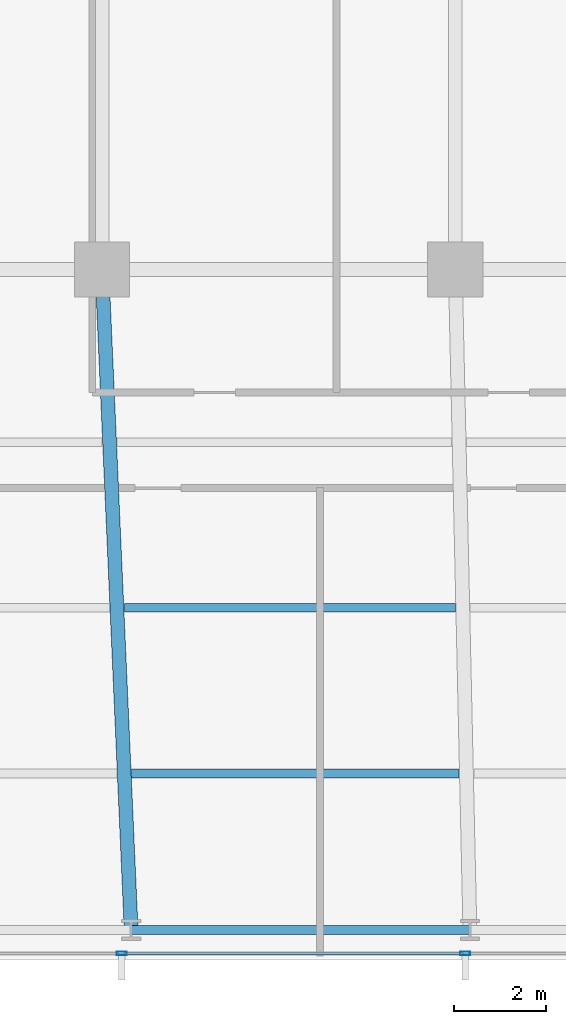
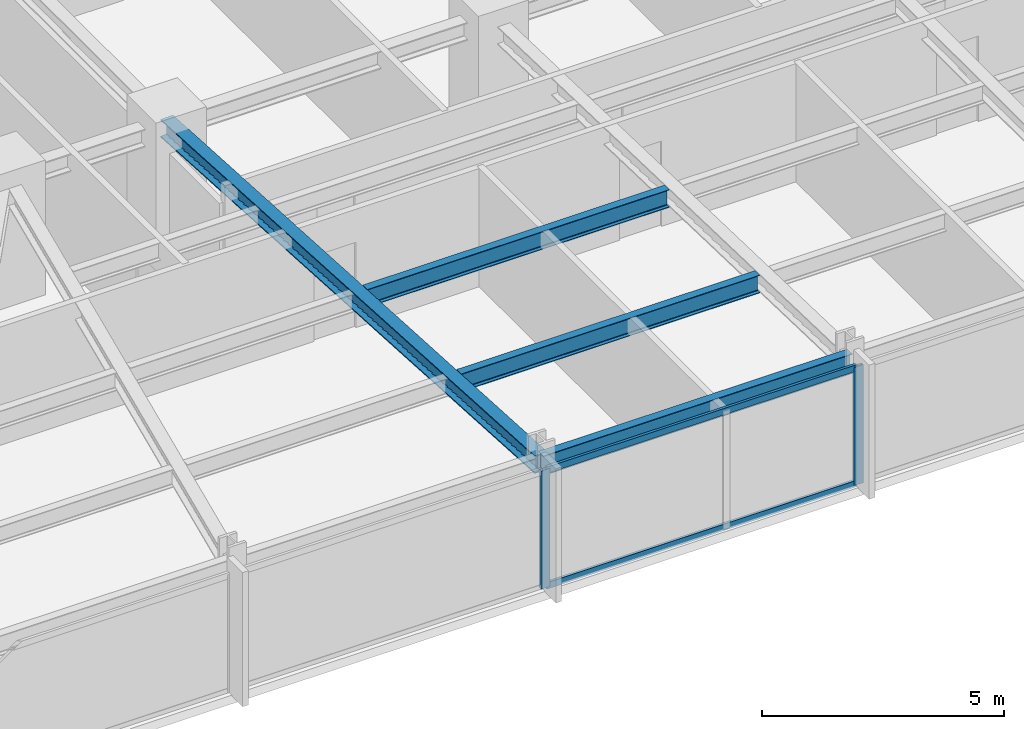
# One storey, part 5 of 32: 4 beams, 4 members, 1 element without a shape of its own.
"""IFC4 building model written with IfcOpenShell, lengths in metres."""

from ifc_helpers import new_model, si_unit, direction, frame, origin, origin_2d, place, context, subcontext, project, spatial, hollow_rectangle, i_section, extrude, material, material_profile, profile_set, type_object, element, aggregate, save


model = new_model("IFC4")

# Units and contexts
model_context = context("Model", 3, precision=1e-05, world=origin(), true_north=direction((0.0, 1.0)))
body_context = subcontext(model_context, "Body", "Model", "MODEL_VIEW")
ifc_project = project(units=[si_unit("LENGTHUNIT", "METRE"), si_unit("AREAUNIT", "SQUARE_METRE"), si_unit("VOLUMEUNIT", "CUBIC_METRE"), si_unit("PLANEANGLEUNIT", "RADIAN"), si_unit("MASSUNIT", "GRAM", prefix="KILO")], contexts=[model_context])

# Site, building, storey
site_placement = place(None, origin())
site = spatial("IfcSite", under=ifc_project, at=site_placement, CompositionType="ELEMENT")
building_placement = place(site_placement, origin())
building = spatial("IfcBuilding", under=site, at=building_placement, Name="Yelkora Congress Tower", CompositionType="ELEMENT")
storey_placement = place(building_placement, frame((0.0, 0.0, 74.60009765625)))
storey = spatial("IfcBuildingStorey", under=building, at=storey_placement, Name="L19", CompositionType="ELEMENT", Elevation=74.60009765625)

# Beams
ifc_material_1 = material(Name="Steel S355J2", Category="steel")
ifc_material_profile_1 = material_profile(ifc_material_1, i_section(OverallWidth=0.300048828125, OverallDepth=0.449951171875, WebThickness=0.013916015625, FlangeThickness=0.02587890625, FilletRadius=0.027099609375, at=origin_2d()), Name="HEB 450")
ifc_profile_set_1 = profile_set([ifc_material_profile_1], Name="Steel S355J2")
beam_type_1 = type_object("IfcBeamType", Name="BM-GIRD-HEB450", PredefinedType="BEAM", material=ifc_profile_set_1)
beam_1_placement = place(storey_placement, frame((23.675048828125, 10.85009765625, 2.7548828125), z_axis=(-0.044208738849, 0.999022315771, 0.0), x_axis=(-0.999022315771, -0.044208738849, 0.0)))
element("IfcBeam", 1, at=beam_1_placement, inside=storey, type_object=beam_type_1, Name="L19 Primary Frame Girder S03", PredefinedType="BEAM", context=body_context, shape_type="SweptSolid", body=[
    extrude(i_section(OverallWidth=0.300048828125, OverallDepth=0.449951171875, WebThickness=0.013916015625, FlangeThickness=0.02587890625, FilletRadius=0.027099609375, at=origin_2d()), origin(), (0.0, 0.0, 1.0), 14.364013671875),
])
ifc_material_profile_2 = material_profile(ifc_material_1, i_section(OverallWidth=0.18994140625, OverallDepth=0.449951171875, WebThickness=0.009521484375, FlangeThickness=0.0146484375, FilletRadius=0.02099609375, at=origin_2d()), Name="IPE 450")
ifc_profile_set_2 = profile_set([ifc_material_profile_2], Name="Steel S355J2")
beam_type_2 = type_object("IfcBeamType", Name="BM-JOIST-IPE450", PredefinedType="JOIST", material=ifc_profile_set_2)
beam_2_placement = place(storey_placement, frame((23.6845703125, 14.25, 2.7548828125), z_axis=(1.0, 0.0, 0.0), x_axis=(0.0, 1.0, 0.0)))
element("IfcBeam", 2, at=beam_2_placement, inside=storey, type_object=beam_type_2, Name="L19 Composite Floor Joist 3", PredefinedType="JOIST", context=body_context, shape_type="SweptSolid", body=[
    extrude(i_section(OverallWidth=0.18994140625, OverallDepth=0.449951171875, WebThickness=0.009521484375, FlangeThickness=0.0146484375, FilletRadius=0.02099609375, at=origin_2d()), origin(), (0.0, 0.0, 1.0), 7.11767578125),
])
beam_3_placement = place(storey_placement, frame((23.525146484375, 17.85009765625, 2.7548828125), z_axis=(1.0, 0.0, 0.0), x_axis=(0.0, 1.0, 0.0)))
element("IfcBeam", 3, at=beam_3_placement, inside=storey, type_object=beam_type_2, Name="L19 Composite Floor Joist 11", PredefinedType="JOIST", context=body_context, shape_type="SweptSolid", body=[
    extrude(i_section(OverallWidth=0.18994140625, OverallDepth=0.449951171875, WebThickness=0.009521484375, FlangeThickness=0.0146484375, FilletRadius=0.02099609375, at=origin_2d()), origin(), (0.0, 0.0, 1.0), 7.197509765625),
])
ifc_material_profile_3 = material_profile(ifc_material_1, i_section(OverallWidth=0.199951171875, OverallDepth=0.5, WebThickness=0.01025390625, FlangeThickness=0.01611328125, FilletRadius=0.02099609375, at=origin_2d()), Name="IPE 500")
ifc_profile_set_3 = profile_set([ifc_material_profile_3], Name="Steel S355J2")
beam_type_3 = type_object("IfcBeamType", Name="BM-SPAN-IPE500", PredefinedType="SPANDREL", material=ifc_profile_set_3)
beam_4_placement = place(storey_placement, frame((23.675048828125, 10.85009765625, 2.72998046875), z_axis=(1.0, 0.0, 0.0), x_axis=(0.0, 1.0, 0.0)))
element("IfcBeam", 4, at=beam_4_placement, inside=storey, type_object=beam_type_3, Name="L19 Perimeter Beam 4", PredefinedType="SPANDREL", context=body_context, shape_type="SweptSolid", body=[
    extrude(i_section(OverallWidth=0.199951171875, OverallDepth=0.5, WebThickness=0.01025390625, FlangeThickness=0.01611328125, FilletRadius=0.02099609375, at=origin_2d()), origin(), (0.0, 0.0, 1.0), 7.362548828125),
])

# Curtain wall, members
ifc_material_2 = material(Name="Anodised aluminium and insulated glass", Category="aluminium")
curtain_wall_type = type_object("IfcCurtainWallType", Name="CW-SYS-B1", PredefinedType="NOTDEFINED", material=ifc_material_2)
curtain_wall_placement = place(storey_placement, origin())
curtain_wall = element("IfcCurtainWall", 5, at=curtain_wall_placement, inside=storey, type_object=curtain_wall_type, Name="L19 Unitised Curtain Wall 20", PredefinedType="NOTDEFINED")
ifc_material_3 = material(Name="Anodised aluminium 6063-T6", Category="aluminium")
ifc_material_profile_4 = material_profile(ifc_material_3, hollow_rectangle(XDim=0.074951171875, YDim=0.219970703125, WallThickness=0.0048828125, at=origin_2d()), Name="ALU 75x220x5")
ifc_profile_set_4 = profile_set([ifc_material_profile_4], Name="Anodised aluminium 6063-T6")
member_type_1 = type_object("IfcMemberType", Name="MEM-ML-B1", PredefinedType="MULLION", material=ifc_profile_set_4)
member_1_placement = place(storey_placement, frame((30.93505859375, 10.340087890625, 0.0), z_axis=(0.0, 0.0, 1.0), x_axis=(0.0, -1.0, 0.0)))
member_1 = element("IfcMember", 6, at=member_1_placement, type_object=member_type_1, Name="CW-B1 mullion 6", PredefinedType="MULLION", context=body_context, shape_type="SweptSolid", body=[
    extrude(hollow_rectangle(XDim=0.074951171875, YDim=0.219970703125, WallThickness=0.0048828125, at=origin_2d()), origin(), (0.0, 0.0, 1.0), 2.97998046875),
])
member_2_placement = place(storey_placement, frame((23.469970703125, 10.340087890625, 0.0), z_axis=(0.0, 0.0, 1.0), x_axis=(0.0, -1.0, 0.0)))
member_2 = element("IfcMember", 7, at=member_2_placement, type_object=member_type_1, Name="CW-B1 mullion 7", PredefinedType="MULLION", context=body_context, shape_type="SweptSolid", body=[
    extrude(hollow_rectangle(XDim=0.074951171875, YDim=0.219970703125, WallThickness=0.0048828125, at=origin_2d()), origin(), (0.0, 0.0, 1.0), 2.97998046875),
])
ifc_material_profile_5 = material_profile(ifc_material_3, hollow_rectangle(XDim=0.06494140625, YDim=0.159912109375, WallThickness=0.00390625, at=origin_2d()), Name="ALU 65x160x4")
ifc_profile_set_5 = profile_set([ifc_material_profile_5], Name="Anodised aluminium 6063-T6")
member_type_2 = type_object("IfcMemberType", Name="MEM-TR-B1", PredefinedType="USERDEFINED", material=ifc_profile_set_5)
member_3_placement = place(storey_placement, frame((30.8974609375, 10.340087890625, 0.032470703125), z_axis=(-1.0, 0.0, 0.0), x_axis=(0.0, -1.0, 0.0)))
member_3 = element("IfcMember", 8, at=member_3_placement, type_object=member_type_2, Name="CW-B1 transom 6.1", ObjectType="TRANSOM", PredefinedType="USERDEFINED", context=body_context, shape_type="SweptSolid", body=[
    extrude(hollow_rectangle(XDim=0.06494140625, YDim=0.159912109375, WallThickness=0.00390625, at=origin_2d()), origin(), (0.0, 0.0, 1.0), 7.389892578125),
])
member_4_placement = place(storey_placement, frame((30.8974609375, 10.340087890625, 2.947509765625), z_axis=(-1.0, 0.0, 0.0), x_axis=(0.0, -1.0, 0.0)))
member_4 = element("IfcMember", 9, at=member_4_placement, type_object=member_type_2, Name="CW-B1 transom 6.2", ObjectType="TRANSOM", PredefinedType="USERDEFINED", context=body_context, shape_type="SweptSolid", body=[
    extrude(hollow_rectangle(XDim=0.06494140625, YDim=0.159912109375, WallThickness=0.00390625, at=origin_2d()), origin(), (0.0, 0.0, 1.0), 7.389892578125),
])
aggregate(curtain_wall, [member_1, member_2, member_3, member_4])

save(model, "model.ifc")
